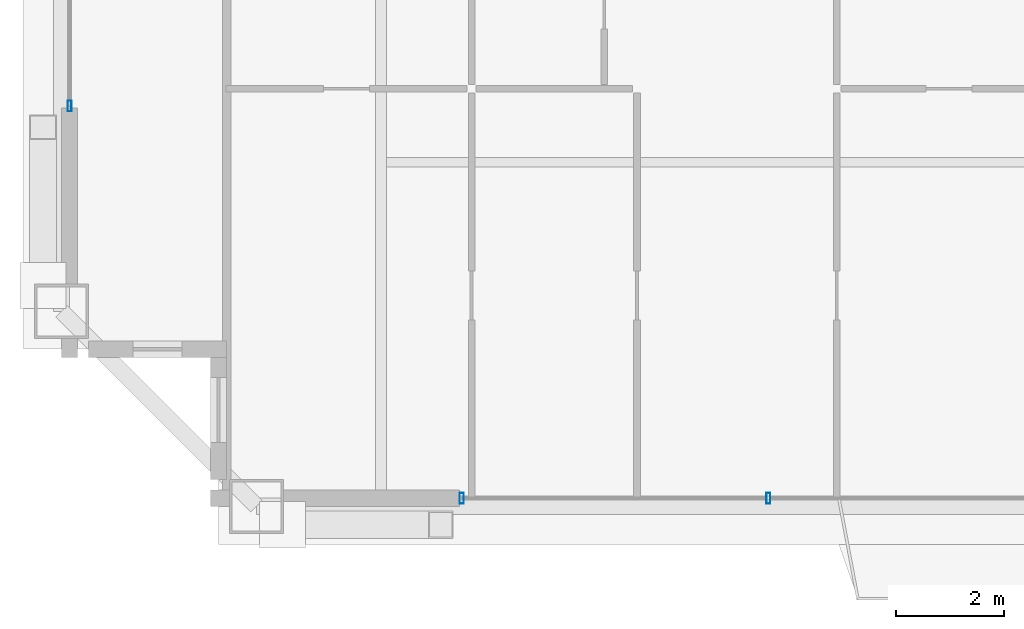
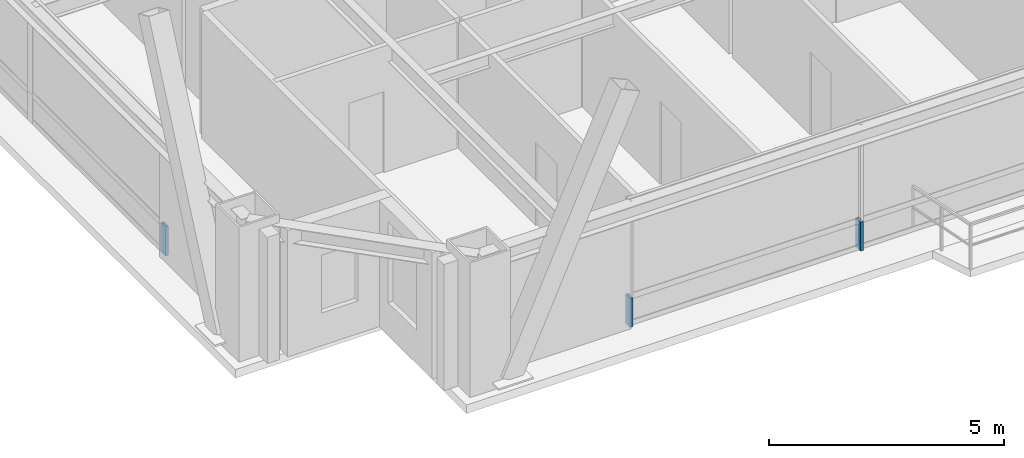
# One storey, part 20 of 35: 3 members, 2 elements without a shape of their own.
"""IFC4 building model written with IfcOpenShell, lengths in metres."""

from ifc_helpers import new_model, si_unit, direction, frame, origin, origin_2d, place, context, subcontext, project, spatial, hollow_rectangle, extrude, source, transform, mapped, material, layer, layer_set, material_profile, profile_set, type_object, element, aggregate, save


model = new_model("IFC4")

# Units and contexts
model_context = context("Model", 3, precision=1e-05, world=origin(), true_north=direction((0.0, 1.0)))
body_context = subcontext(model_context, "Body", "Model", "MODEL_VIEW")
ifc_project = project(units=[si_unit("LENGTHUNIT", "METRE"), si_unit("AREAUNIT", "SQUARE_METRE"), si_unit("VOLUMEUNIT", "CUBIC_METRE"), si_unit("PLANEANGLEUNIT", "RADIAN"), si_unit("MASSUNIT", "GRAM", prefix="KILO"), si_unit("THERMODYNAMICTEMPERATUREUNIT", "KELVIN"), si_unit("POWERUNIT", "WATT")], contexts=[model_context])

# Site, building, storey
site_placement = place(None, origin())
site = spatial("IfcSite", under=ifc_project, at=site_placement, CompositionType="ELEMENT")
building_placement = place(site_placement, origin())
building = spatial("IfcBuilding", under=site, at=building_placement, Name="Yuzanri Waterfront Tower", CompositionType="ELEMENT")
storey_placement = place(building_placement, frame((0.0, 0.0, 299.60009765625)))
storey = spatial("IfcBuildingStorey", under=building, at=storey_placement, Name="L80", CompositionType="ELEMENT", Elevation=299.60009765625)

# Curtain wall, members
ifc_material_1 = material(Name="Anodized Architectural Bronze", Category="metal")
ifc_layer = layer(ifc_material_1, 0.159912109375)
ifc_layer_set = layer_set([ifc_layer], Name="Anodized Architectural Bronze")
curtain_wall_type = type_object("IfcCurtainWallType", Name="Anodized Bronze High-Rise Penthouse High-Wind Unitized Curtain Wall 6900", PredefinedType="NOTDEFINED", material=ifc_layer_set)
curtain_wall_1_placement = place(storey_placement, origin())
curtain_wall_1 = element("IfcCurtainWall", 1, at=curtain_wall_1_placement, inside=storey, type_object=curtain_wall_type, Name="L80 Curtain Wall CW-L80-SL", PredefinedType="NOTDEFINED")
ifc_material_2 = material(Name="Anodized Architectural Bronze", Category="metal")
ifc_material_profile = material_profile(ifc_material_2, hollow_rectangle(XDim=0.074951171875, YDim=0.199951171875, WallThickness=0.00390625, at=origin_2d()), Name="CWM 75x200")
ifc_profile_set = profile_set([ifc_material_profile], Name="Anodized Architectural Bronze")
member_type = type_object("IfcMemberType", Name="Anodized Bronze Primary Curtain-Wall Mullion 75x200", PredefinedType="MULLION", material=ifc_profile_set)
shared_shape = source(origin(), body_context, "Body", "SweptSolid", [
    extrude(hollow_rectangle(XDim=0.074951171875, YDim=0.199951171875, WallThickness=0.00390625, at=origin_2d()), origin(), (0.0, 0.0, 1.0), 0.751953125),
])
member_1_placement = place(storey_placement, frame((25.2900390625, 6.85009765625, 0.0), z_axis=(0.0, 0.0, 1.0), x_axis=(1.0, 0.0, 0.0)))
member_1 = element("IfcMember", 2, at=member_1_placement, type_object=member_type, Name="CW-L80-SL Lower Mullion 00", PredefinedType="MULLION", context=body_context, shape_type="MappedRepresentation", body=[
    mapped(shared_shape, transform((0.0, 0.0, 0.0), scale=1.0)),
])
member_2_placement = place(storey_placement, frame((30.949951171875, 6.85009765625, 0.0), z_axis=(0.0, 0.0, 1.0), x_axis=(1.0, 0.0, 0.0)))
member_2 = element("IfcMember", 3, at=member_2_placement, type_object=member_type, Name="CW-L80-SL Lower Mullion 01", PredefinedType="MULLION", context=body_context, shape_type="MappedRepresentation", body=[
    mapped(shared_shape, transform((0.0, 0.0, 0.0), scale=1.0)),
])
aggregate(curtain_wall_1, [member_1, member_2])

# Curtain wall, member
curtain_wall_2_placement = place(storey_placement, origin())
curtain_wall_2 = element("IfcCurtainWall", 4, at=curtain_wall_2_placement, inside=storey, type_object=curtain_wall_type, Name="L80 Curtain Wall CW-L80-WL", PredefinedType="NOTDEFINED")
member_3_placement = place(storey_placement, frame((18.050048828125, 14.090087890625, 0.0), z_axis=(0.0, 0.0, 1.0), x_axis=(1.0, 0.0, 0.0)))
member_3 = element("IfcMember", 5, at=member_3_placement, type_object=member_type, Name="CW-L80-WL Lower Mullion 00", PredefinedType="MULLION", context=body_context, shape_type="MappedRepresentation", body=[
    mapped(shared_shape, transform((0.0, 0.0, 0.0), scale=1.0)),
])
aggregate(curtain_wall_2, [member_3])

save(model, "model.ifc")
